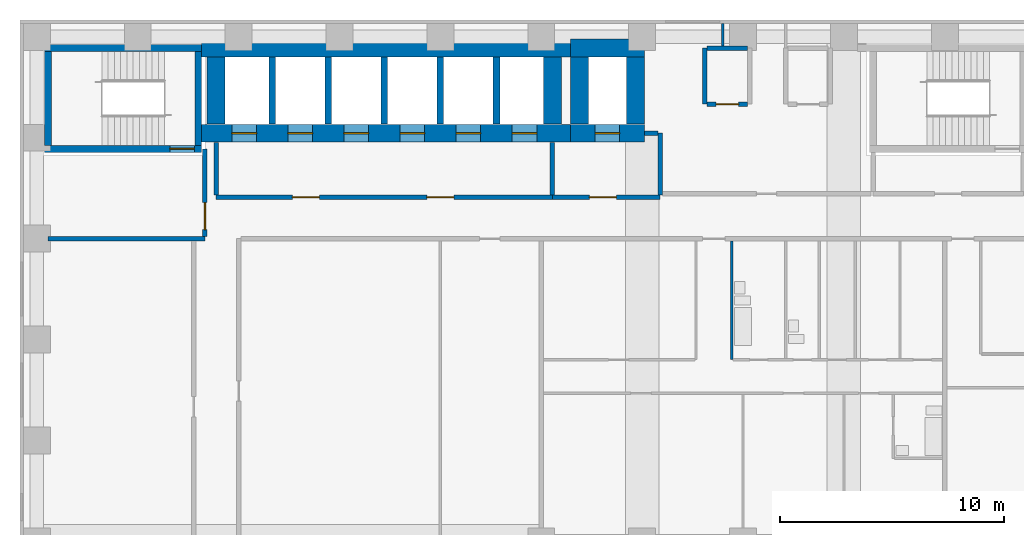
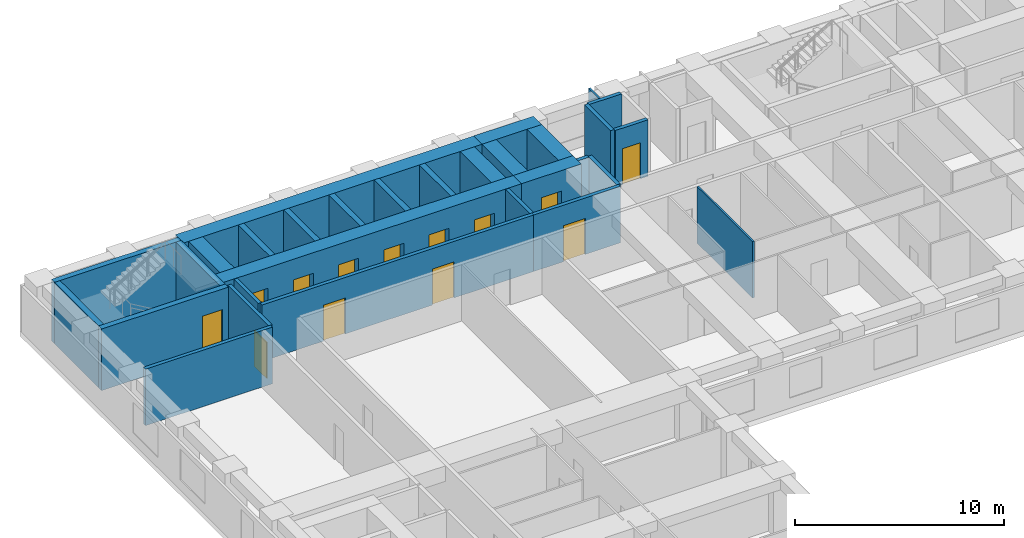
# One storey, part 5 of 12: 30 walls, 13 doors, 13 openings.
"""IFC4 building model written with IfcOpenShell, lengths in metres."""

from ifc_helpers import new_model, si_unit, direction, frame, frame_2d, origin, place, context, subcontext, project, spatial, rectangle, extrude, material, layer, layer_set, type_object, element, fill, save


model = new_model("IFC4")

# Units and contexts
model_context = context("Model", 3, precision=1e-05, world=origin(), true_north=direction((0.0, 1.0)))
body_context = subcontext(model_context, "Body", "Model", "MODEL_VIEW")
ifc_project = project(units=[si_unit("LENGTHUNIT", "METRE"), si_unit("AREAUNIT", "SQUARE_METRE"), si_unit("VOLUMEUNIT", "CUBIC_METRE"), si_unit("PLANEANGLEUNIT", "RADIAN"), si_unit("MASSUNIT", "GRAM", prefix="KILO")], contexts=[model_context])

# Site, building, storey
site_placement = place(None, origin())
site = spatial("IfcSite", under=ifc_project, at=site_placement, CompositionType="ELEMENT")
building_placement = place(site_placement, origin())
building = spatial("IfcBuilding", under=site, at=building_placement, Name="Firuza Court", CompositionType="ELEMENT")
storey_placement = place(building_placement, frame((0.0, 0.0, 36.199951171875)))
storey = spatial("IfcBuildingStorey", under=building, at=storey_placement, Name="L07", CompositionType="ELEMENT", Elevation=36.199951171875)

# Wall
ifc_material_1 = material(Name="Moisture-resistant gypsum board partition")
ifc_layer_1 = layer(ifc_material_1, 0.10009765625)
ifc_layer_set_1 = layer_set([ifc_layer_1], Name="Moisture-resistant gypsum board partition")
wall_type_1 = type_object("IfcWallType", Name="Bathroom partition 100", PredefinedType="PLUMBINGWALL", material=ifc_layer_set_1)
wall_1_placement = place(storey_placement, frame((31.0, 44.10009765625, 0.0), z_axis=(0.0, 0.0, 1.0), x_axis=(0.0, 1.0, 0.0)))
element("IfcWall", 1, at=wall_1_placement, inside=storey, type_object=wall_type_1, Name="Bathroom partition 100 L07", PredefinedType="PLUMBINGWALL", context=body_context, shape_type="SweptSolid", body=[
    extrude(rectangle(XDim=5.2998046875, YDim=0.10009765625, at=frame_2d((2.64990234375, 0.0))), origin(), (0.0, 0.0, 1.0), 3.300048828125),
])

# Wall, opening, door
ifc_material_2 = material(Name="Concrete C60/75", Category="concrete")
ifc_layer_2 = layer(ifc_material_2, 0.300048828125)
ifc_layer_set_2 = layer_set([ifc_layer_2], Name="Concrete C60/75")
wall_type_2 = type_object("IfcWallType", Name="Core wall 300 C60/75", PredefinedType="SHEAR", material=ifc_layer_set_2)
wall_2_placement = place(storey_placement, frame((0.35009765625, 53.5, -0.300048828125), z_axis=(0.0, 0.0, 1.0), x_axis=(1.0, 0.0, 0.0)))
wall_2 = element("IfcWall", 2, at=wall_2_placement, inside=storey, type_object=wall_type_2, Name="Core wall stair L07", PredefinedType="SHEAR", context=body_context, shape_type="SweptSolid", body=[
    extrude(rectangle(XDim=7.0, YDim=0.300048828125, at=frame_2d((3.5, 0.0))), origin(), (0.0, 0.0, 1.0), 3.60009765625),
])
opening_1_placement = place(wall_2_placement, frame((5.580078125, 0.0, 0.300048828125)))
opening_1 = element("IfcOpeningElement", 3, at=opening_1_placement, cuts=wall_2, Name="Opening D07016", PredefinedType="OPENING", context=body_context, shape_type="SweptSolid", body=[
    extrude(rectangle(XDim=1.10009765625, YDim=2.10009765625, at=frame_2d((0.550048828125, 1.050048828125))), frame((0.0, 0.162109375, 0.0), z_axis=(0.0, -1.0, 0.0), x_axis=(1.0, 0.0, 0.0)), (0.0, 0.0, 1.0), 0.323974609375),
])
ifc_material_3 = material(Name="Timber door leaf in hardwood frame", Category="wood")
door_type_1 = type_object("IfcDoorType", Name="Stair door 1100", OperationType="SINGLE_SWING_LEFT", PredefinedType="DOOR", material=ifc_material_3)
door_1_placement = place(opening_1_placement, origin())
door_1 = element("IfcDoor", 4, at=door_1_placement, inside=storey, type_object=door_type_1, Name="Stair door S3", OperationType="SINGLE_SWING_RIGHT", OverallHeight=2.10009765625, OverallWidth=1.10009765625, PredefinedType="DOOR", context=body_context, shape_type="SweptSolid", body=[
    extrude(rectangle(XDim=1.10009765625, YDim=2.10009765625, at=frame_2d((0.550048828125, 1.050048828125))), frame((0.0, 0.02490234375, 0.0), z_axis=(0.0, -1.0, 0.0), x_axis=(1.0, 0.0, 0.0)), (0.0, 0.0, 1.0), 0.050048828125),
])
fill(opening_1, door_1)

# Walls
wall_3_placement = place(storey_placement, frame((0.35009765625, 58.0, -0.300048828125), z_axis=(0.0, 0.0, 1.0), x_axis=(1.0, 0.0, 0.0)))
element("IfcWall", 5, at=wall_3_placement, inside=storey, type_object=wall_type_2, Name="Core wall stair L07", PredefinedType="SHEAR", context=body_context, shape_type="SweptSolid", body=[
    extrude(rectangle(XDim=7.0, YDim=0.300048828125, at=frame_2d((3.5, 0.0))), origin(), (0.0, 0.0, 1.0), 3.60009765625),
])
for number, where, z_axis, x_axis, name in (
    (6, (0.5, 53.64990234375, -0.300048828125), (0.0, 0.0, 1.0), (0.0, 1.0, 0.0), "Core wall stair L07"),
    (7, (7.199951171875, 53.64990234375, -0.300048828125), (0.0, 0.0, 1.0), (0.0, 1.0, 0.0), "Core wall stair L07"),
):
    element("IfcWall", number, at=place(storey_placement, frame(where, z_axis=z_axis, x_axis=x_axis)), inside=storey, type_object=wall_type_2, Name=name, PredefinedType="SHEAR", context=body_context, shape_type="SweptSolid", body=[
        extrude(rectangle(XDim=4.2001953125, YDim=0.300048828125, at=frame_2d((2.10009765625, 0.0))), origin(), (0.0, 0.0, 1.0), 3.60009765625),
    ])
for number, where, z_axis, x_axis, name in (
    (8, (10.5, 54.60009765625, -0.300048828125), (0.0, 0.0, 1.0), (0.0, 1.0, 0.0), "Core wall lift shaft L07"),
    (9, (13.0, 54.60009765625, -0.300048828125), (0.0, 0.0, 1.0), (0.0, 1.0, 0.0), "Core wall lift shaft L07"),
    (10, (15.5, 54.60009765625, -0.300048828125), (0.0, 0.0, 1.0), (0.0, 1.0, 0.0), "Core wall lift shaft L07"),
    (11, (18.0, 54.60009765625, -0.300048828125), (0.0, 0.0, 1.0), (0.0, 1.0, 0.0), "Core wall lift shaft L07"),
    (12, (20.5, 54.60009765625, -0.300048828125), (0.0, 0.0, 1.0), (0.0, 1.0, 0.0), "Core wall lift shaft L07"),
):
    element("IfcWall", number, at=place(storey_placement, frame(where, z_axis=z_axis, x_axis=x_axis)), inside=storey, type_object=wall_type_2, Name=name, PredefinedType="SHEAR", context=body_context, shape_type="SweptSolid", body=[
        extrude(rectangle(XDim=3.0, YDim=0.300048828125, at=frame_2d((1.5, 0.0))), origin(), (0.0, 0.0, 1.0), 3.60009765625),
    ])

# Wall, openings, doors
ifc_layer_3 = layer(ifc_material_2, 0.800048828125)
ifc_layer_set_3 = layer_set([ifc_layer_3], Name="Concrete C60/75")
wall_type_3 = type_object("IfcWallType", Name="Core wall 800 C60/75", PredefinedType="SHEAR", material=ifc_layer_set_3)
wall_4_placement = place(storey_placement, frame((7.35009765625, 54.199951171875, -0.300048828125), z_axis=(0.0, 0.0, 1.0), x_axis=(1.0, 0.0, 0.0)))
wall_4 = element("IfcWall", 13, at=wall_4_placement, inside=storey, type_object=wall_type_3, Name="Core wall lift shaft L07", PredefinedType="SHEAR", context=body_context, shape_type="SweptSolid", body=[
    extrude(rectangle(XDim=16.449951171875, YDim=0.800048828125, at=frame_2d((8.22509765625, 0.0))), origin(), (0.0, 0.0, 1.0), 3.60009765625),
])
opening_2_placement = place(wall_4_placement, frame((1.35009765625, 0.0, 0.300048828125)))
opening_2 = element("IfcOpeningElement", 14, at=opening_2_placement, cuts=wall_4, Name="Opening LD-LB1-07", PredefinedType="OPENING", context=body_context, shape_type="SweptSolid", body=[
    extrude(rectangle(XDim=1.10009765625, YDim=2.10009765625, at=frame_2d((0.550048828125, 1.050048828125))), frame((0.0, 0.412109375, 0.0), z_axis=(0.0, -1.0, 0.0), x_axis=(1.0, 0.0, 0.0)), (0.0, 0.0, 1.0), 0.823974609375),
])
opening_3_placement = place(wall_4_placement, frame((3.85009765625, 0.0, 0.300048828125)))
opening_3 = element("IfcOpeningElement", 15, at=opening_3_placement, cuts=wall_4, Name="Opening LD-LB2-07", PredefinedType="OPENING", context=body_context, shape_type="SweptSolid", body=[
    extrude(rectangle(XDim=1.10009765625, YDim=2.10009765625, at=frame_2d((0.550048828125, 1.050048828125))), frame((0.0, 0.412109375, 0.0), z_axis=(0.0, -1.0, 0.0), x_axis=(1.0, 0.0, 0.0)), (0.0, 0.0, 1.0), 0.823974609375),
])
opening_4_placement = place(wall_4_placement, frame((6.35009765625, 0.0, 0.300048828125)))
opening_4 = element("IfcOpeningElement", 16, at=opening_4_placement, cuts=wall_4, Name="Opening LD-LB3-07", PredefinedType="OPENING", context=body_context, shape_type="SweptSolid", body=[
    extrude(rectangle(XDim=1.10009765625, YDim=2.10009765625, at=frame_2d((0.550048828125, 1.050048828125))), frame((0.0, 0.412109375, 0.0), z_axis=(0.0, -1.0, 0.0), x_axis=(1.0, 0.0, 0.0)), (0.0, 0.0, 1.0), 0.823974609375),
])
opening_5_placement = place(wall_4_placement, frame((8.85009765625, 0.0, 0.300048828125)))
opening_5 = element("IfcOpeningElement", 17, at=opening_5_placement, cuts=wall_4, Name="Opening LD-LB4-07", PredefinedType="OPENING", context=body_context, shape_type="SweptSolid", body=[
    extrude(rectangle(XDim=1.10009765625, YDim=2.10009765625, at=frame_2d((0.550048828125, 1.050048828125))), frame((0.0, 0.412109375, 0.0), z_axis=(0.0, -1.0, 0.0), x_axis=(1.0, 0.0, 0.0)), (0.0, 0.0, 1.0), 0.823974609375),
])
opening_6_placement = place(wall_4_placement, frame((11.35009765625, 0.0, 0.300048828125)))
opening_6 = element("IfcOpeningElement", 18, at=opening_6_placement, cuts=wall_4, Name="Opening LD-LB5-07", PredefinedType="OPENING", context=body_context, shape_type="SweptSolid", body=[
    extrude(rectangle(XDim=1.10009765625, YDim=2.10009765625, at=frame_2d((0.550048828125, 1.050048828125))), frame((0.0, 0.412109375, 0.0), z_axis=(0.0, -1.0, 0.0), x_axis=(1.0, 0.0, 0.0)), (0.0, 0.0, 1.0), 0.823974609375),
])
opening_7_placement = place(wall_4_placement, frame((13.85009765625, 0.0, 0.300048828125)))
opening_7 = element("IfcOpeningElement", 19, at=opening_7_placement, cuts=wall_4, Name="Opening LD-LB6-07", PredefinedType="OPENING", context=body_context, shape_type="SweptSolid", body=[
    extrude(rectangle(XDim=1.10009765625, YDim=2.10009765625, at=frame_2d((0.550048828125, 1.050048828125))), frame((0.0, 0.412109375, 0.0), z_axis=(0.0, -1.0, 0.0), x_axis=(1.0, 0.0, 0.0)), (0.0, 0.0, 1.0), 0.823974609375),
])
ifc_material_4 = material(Name="Stainless steel 1.4301 door leaf", Category="steel")
door_type_2 = type_object("IfcDoorType", Name="Lift landing door 1100", OperationType="SLIDING_TO_LEFT", PredefinedType="DOOR", material=ifc_material_4)
door_2_placement = place(opening_2_placement, origin())
door_2 = element("IfcDoor", 20, at=door_2_placement, inside=storey, type_object=door_type_2, Name="Landing door LB1", OperationType="SLIDING_TO_LEFT", OverallHeight=2.10009765625, OverallWidth=1.10009765625, PredefinedType="DOOR", context=body_context, shape_type="SweptSolid", body=[
    extrude(rectangle(XDim=1.10009765625, YDim=2.10009765625, at=frame_2d((0.550048828125, 1.050048828125))), frame((0.0, 0.02490234375, 0.0), z_axis=(0.0, -1.0, 0.0), x_axis=(1.0, 0.0, 0.0)), (0.0, 0.0, 1.0), 0.050048828125),
])
fill(opening_2, door_2)
door_3_placement = place(opening_3_placement, origin())
door_3 = element("IfcDoor", 21, at=door_3_placement, inside=storey, type_object=door_type_2, Name="Landing door LB2", OperationType="SLIDING_TO_LEFT", OverallHeight=2.10009765625, OverallWidth=1.10009765625, PredefinedType="DOOR", context=body_context, shape_type="SweptSolid", body=[
    extrude(rectangle(XDim=1.10009765625, YDim=2.10009765625, at=frame_2d((0.550048828125, 1.050048828125))), frame((0.0, 0.02490234375, 0.0), z_axis=(0.0, -1.0, 0.0), x_axis=(1.0, 0.0, 0.0)), (0.0, 0.0, 1.0), 0.050048828125),
])
fill(opening_3, door_3)
door_4_placement = place(opening_4_placement, origin())
door_4 = element("IfcDoor", 22, at=door_4_placement, inside=storey, type_object=door_type_2, Name="Landing door LB3", OperationType="SLIDING_TO_LEFT", OverallHeight=2.10009765625, OverallWidth=1.10009765625, PredefinedType="DOOR", context=body_context, shape_type="SweptSolid", body=[
    extrude(rectangle(XDim=1.10009765625, YDim=2.10009765625, at=frame_2d((0.550048828125, 1.050048828125))), frame((0.0, 0.02490234375, 0.0), z_axis=(0.0, -1.0, 0.0), x_axis=(1.0, 0.0, 0.0)), (0.0, 0.0, 1.0), 0.050048828125),
])
fill(opening_4, door_4)
door_5_placement = place(opening_5_placement, origin())
door_5 = element("IfcDoor", 23, at=door_5_placement, inside=storey, type_object=door_type_2, Name="Landing door LB4", OperationType="SLIDING_TO_LEFT", OverallHeight=2.10009765625, OverallWidth=1.10009765625, PredefinedType="DOOR", context=body_context, shape_type="SweptSolid", body=[
    extrude(rectangle(XDim=1.10009765625, YDim=2.10009765625, at=frame_2d((0.550048828125, 1.050048828125))), frame((0.0, 0.02490234375, 0.0), z_axis=(0.0, -1.0, 0.0), x_axis=(1.0, 0.0, 0.0)), (0.0, 0.0, 1.0), 0.050048828125),
])
fill(opening_5, door_5)
door_6_placement = place(opening_6_placement, origin())
door_6 = element("IfcDoor", 24, at=door_6_placement, inside=storey, type_object=door_type_2, Name="Landing door LB5", OperationType="SLIDING_TO_LEFT", OverallHeight=2.10009765625, OverallWidth=1.10009765625, PredefinedType="DOOR", context=body_context, shape_type="SweptSolid", body=[
    extrude(rectangle(XDim=1.10009765625, YDim=2.10009765625, at=frame_2d((0.550048828125, 1.050048828125))), frame((0.0, 0.02490234375, 0.0), z_axis=(0.0, -1.0, 0.0), x_axis=(1.0, 0.0, 0.0)), (0.0, 0.0, 1.0), 0.050048828125),
])
fill(opening_6, door_6)
door_7_placement = place(opening_7_placement, origin())
door_7 = element("IfcDoor", 25, at=door_7_placement, inside=storey, type_object=door_type_2, Name="Landing door LB6", OperationType="SLIDING_TO_LEFT", OverallHeight=2.10009765625, OverallWidth=1.10009765625, PredefinedType="DOOR", context=body_context, shape_type="SweptSolid", body=[
    extrude(rectangle(XDim=1.10009765625, YDim=2.10009765625, at=frame_2d((0.550048828125, 1.050048828125))), frame((0.0, 0.02490234375, 0.0), z_axis=(0.0, -1.0, 0.0), x_axis=(1.0, 0.0, 0.0)), (0.0, 0.0, 1.0), 0.050048828125),
])
fill(opening_7, door_7)

# Walls
wall_5_placement = place(storey_placement, frame((7.35009765625, 58.0, -0.300048828125), z_axis=(0.0, 0.0, 1.0), x_axis=(1.0, 0.0, 0.0)))
element("IfcWall", 26, at=wall_5_placement, inside=storey, type_object=wall_type_3, Name="Core wall lift shaft L07", PredefinedType="SHEAR", context=body_context, shape_type="SweptSolid", body=[
    extrude(rectangle(XDim=16.449951171875, YDim=0.800048828125, at=frame_2d((8.22509765625, 0.0))), origin(), (0.0, 0.0, 1.0), 3.60009765625),
])
for number, where, z_axis, x_axis, name in (
    (27, (8.0, 54.60009765625, -0.300048828125), (0.0, 0.0, 1.0), (0.0, 1.0, 0.0), "Core wall lift shaft L07"),
    (28, (23.0, 54.60009765625, -0.300048828125), (0.0, 0.0, 1.0), (0.0, 1.0, 0.0), "Core wall lift shaft L07"),
):
    element("IfcWall", number, at=place(storey_placement, frame(where, z_axis=z_axis, x_axis=x_axis)), inside=storey, type_object=wall_type_3, Name=name, PredefinedType="SHEAR", context=body_context, shape_type="SweptSolid", body=[
        extrude(rectangle(XDim=3.0, YDim=0.800048828125, at=frame_2d((1.5, 0.0))), origin(), (0.0, 0.0, 1.0), 3.60009765625),
    ])

# Wall, opening, door
wall_6_placement = place(storey_placement, frame((23.800048828125, 54.199951171875, -0.300048828125), z_axis=(0.0, 0.0, 1.0), x_axis=(1.0, 0.0, 0.0)))
wall_6 = element("IfcWall", 29, at=wall_6_placement, inside=storey, type_object=wall_type_3, Name="Core wall lift shaft L07", PredefinedType="SHEAR", context=body_context, shape_type="SweptSolid", body=[
    extrude(rectangle(XDim=3.300048828125, YDim=0.800048828125, at=frame_2d((1.64990234375, 0.0))), origin(), (0.0, 0.0, 1.0), 3.60009765625),
])
opening_8_placement = place(wall_6_placement, frame((1.10009765625, 0.0, 0.300048828125)))
opening_8 = element("IfcOpeningElement", 30, at=opening_8_placement, cuts=wall_6, Name="Opening LD-FL3-07", PredefinedType="OPENING", context=body_context, shape_type="SweptSolid", body=[
    extrude(rectangle(XDim=1.10009765625, YDim=2.10009765625, at=frame_2d((0.550048828125, 1.050048828125))), frame((0.0, 0.412109375, 0.0), z_axis=(0.0, -1.0, 0.0), x_axis=(1.0, 0.0, 0.0)), (0.0, 0.0, 1.0), 0.823974609375),
])
door_8_placement = place(opening_8_placement, origin())
door_8 = element("IfcDoor", 31, at=door_8_placement, inside=storey, type_object=door_type_2, Name="Landing door FL3", OperationType="SLIDING_TO_LEFT", OverallHeight=2.10009765625, OverallWidth=1.10009765625, PredefinedType="DOOR", context=body_context, shape_type="SweptSolid", body=[
    extrude(rectangle(XDim=1.10009765625, YDim=2.10009765625, at=frame_2d((0.550048828125, 1.050048828125))), frame((0.0, 0.02490234375, 0.0), z_axis=(0.0, -1.0, 0.0), x_axis=(1.0, 0.0, 0.0)), (0.0, 0.0, 1.0), 0.050048828125),
])
fill(opening_8, door_8)

# Walls
wall_7_placement = place(storey_placement, frame((23.800048828125, 58.0, -0.300048828125), z_axis=(0.0, 0.0, 1.0), x_axis=(1.0, 0.0, 0.0)))
element("IfcWall", 32, at=wall_7_placement, inside=storey, type_object=wall_type_3, Name="Core wall lift shaft L07", PredefinedType="SHEAR", context=body_context, shape_type="SweptSolid", body=[
    extrude(rectangle(XDim=3.300048828125, YDim=0.800048828125, at=frame_2d((1.64990234375, 0.0))), origin(), (0.0, 0.0, 1.0), 3.60009765625),
])
for number, where, z_axis, x_axis, name in (
    (33, (24.199951171875, 54.60009765625, -0.300048828125), (0.0, 0.0, 1.0), (0.0, 1.0, 0.0), "Core wall lift shaft L07"),
    (34, (26.699951171875, 54.60009765625, -0.300048828125), (0.0, 0.0, 1.0), (0.0, 1.0, 0.0), "Core wall lift shaft L07"),
):
    element("IfcWall", number, at=place(storey_placement, frame(where, z_axis=z_axis, x_axis=x_axis)), inside=storey, type_object=wall_type_3, Name=name, PredefinedType="SHEAR", context=body_context, shape_type="SweptSolid", body=[
        extrude(rectangle(XDim=3.0, YDim=0.800048828125, at=frame_2d((1.5, 0.0))), origin(), (0.0, 0.0, 1.0), 3.60009765625),
    ])
ifc_material_5 = material(Name="Timber stud partition, plasterboard both sides", Category="wood")
ifc_layer_4 = layer(ifc_material_5, 0.10009765625)
ifc_layer_set_4 = layer_set([ifc_layer_4], Name="Timber stud partition, plasterboard both sides")
wall_type_4 = type_object("IfcWallType", Name="Partition wall 100", PredefinedType="PARTITIONING", material=ifc_layer_set_4)
wall_8_placement = place(storey_placement, frame((30.60009765625, 58.10009765625, 0.0), z_axis=(0.0, 0.0, 1.0), x_axis=(0.0, 1.0, 0.0)))
element("IfcWall", 35, at=wall_8_placement, inside=storey, type_object=wall_type_4, Name="Partition wall 100 L07", PredefinedType="PARTITIONING", context=body_context, shape_type="SweptSolid", body=[
    extrude(rectangle(XDim=1.0, YDim=0.10009765625, at=frame_2d((0.5, 0.0))), origin(), (0.0, 0.0, 1.0), 3.300048828125),
])
ifc_material_6 = material(Name="Blockwork, fire-rated", Category="masonry")
ifc_layer_5 = layer(ifc_material_6, 0.199951171875)
ifc_layer_set_5 = layer_set([ifc_layer_5], Name="Blockwork, fire-rated")
wall_type_5 = type_object("IfcWallType", Name="Plant room wall 200", PredefinedType="PARTITIONING", material=ifc_layer_set_5)
wall_9_placement = place(storey_placement, frame((29.800048828125, 55.5, 0.0), z_axis=(0.0, 0.0, 1.0), x_axis=(0.0, 1.0, 0.0)))
element("IfcWall", 36, at=wall_9_placement, inside=storey, type_object=wall_type_5, Name="Plant room wall 200 L07", PredefinedType="PARTITIONING", context=body_context, shape_type="SweptSolid", body=[
    extrude(rectangle(XDim=2.5, YDim=0.199951171875, at=frame_2d((1.25, 0.0))), origin(), (0.0, 0.0, 1.0), 3.300048828125),
])

# Wall, opening, door
wall_10_placement = place(storey_placement, frame((29.89990234375, 55.5, 0.0), z_axis=(0.0, 0.0, 1.0), x_axis=(1.0, 0.0, 0.0)))
wall_10 = element("IfcWall", 37, at=wall_10_placement, inside=storey, type_object=wall_type_5, Name="Plant room wall 200 L07", PredefinedType="PARTITIONING", context=body_context, shape_type="SweptSolid", body=[
    extrude(rectangle(XDim=1.800048828125, YDim=0.199951171875, at=frame_2d((0.89990234375, 0.0))), origin(), (0.0, 0.0, 1.0), 3.300048828125),
])
opening_9_placement = place(wall_10_placement, frame((0.39990234375, 0.0, 0.0)))
opening_9 = element("IfcOpeningElement", 38, at=opening_9_placement, cuts=wall_10, Name="Opening D07075", PredefinedType="OPENING", context=body_context, shape_type="SweptSolid", body=[
    extrude(rectangle(XDim=1.0, YDim=2.10009765625, at=frame_2d((0.5, 1.050048828125))), frame((0.0, 0.11181640625, 0.0), z_axis=(0.0, -1.0, 0.0), x_axis=(1.0, 0.0, 0.0)), (0.0, 0.0, 1.0), 0.223876953125),
])
ifc_material_7 = material(Name="Timber door leaf in hardwood frame", Category="wood")
door_type_3 = type_object("IfcDoorType", Name="Riser door 1000", OperationType="SINGLE_SWING_LEFT", PredefinedType="DOOR", material=ifc_material_7)
door_9_placement = place(opening_9_placement, origin())
door_9 = element("IfcDoor", 39, at=door_9_placement, inside=storey, type_object=door_type_3, Name="Electrical riser door", OperationType="SINGLE_SWING_LEFT", OverallHeight=2.10009765625, OverallWidth=1.0, PredefinedType="DOOR", context=body_context, shape_type="SweptSolid", body=[
    extrude(rectangle(XDim=1.0, YDim=2.10009765625, at=frame_2d((0.5, 1.050048828125))), frame((0.0, 0.02490234375, 0.0), z_axis=(0.0, -1.0, 0.0), x_axis=(1.0, 0.0, 0.0)), (0.0, 0.0, 1.0), 0.050048828125),
])
fill(opening_9, door_9)

# Wall
wall_11_placement = place(storey_placement, frame((29.89990234375, 58.0, 0.0), z_axis=(0.0, 0.0, 1.0), x_axis=(1.0, 0.0, 0.0)))
element("IfcWall", 40, at=wall_11_placement, inside=storey, type_object=wall_type_5, Name="Plant room wall 200 L07", PredefinedType="PARTITIONING", context=body_context, shape_type="SweptSolid", body=[
    extrude(rectangle(XDim=1.800048828125, YDim=0.199951171875, at=frame_2d((0.89990234375, 0.0))), origin(), (0.0, 0.0, 1.0), 3.300048828125),
])

# Wall, openings, doors
ifc_layer_6 = layer(ifc_material_6, 0.199951171875)
ifc_layer_set_6 = layer_set([ifc_layer_6], Name="Blockwork, fire-rated")
wall_type_6 = type_object("IfcWallType", Name="Shaft wall 200", PredefinedType="PARTITIONING", material=ifc_layer_set_6)
wall_12_placement = place(storey_placement, frame((8.0, 51.35009765625, 0.0), z_axis=(0.0, 0.0, 1.0), x_axis=(1.0, 0.0, 0.0)))
wall_12 = element("IfcWall", 41, at=wall_12_placement, inside=storey, type_object=wall_type_6, Name="Shaft wall 200 L07", PredefinedType="PARTITIONING", context=body_context, shape_type="SweptSolid", body=[
    extrude(rectangle(XDim=15.0, YDim=0.199951171875, at=frame_2d((7.5, 0.0))), origin(), (0.0, 0.0, 1.0), 3.300048828125),
])
opening_10_placement = place(wall_12_placement, frame((3.39990234375, 0.0, 0.0)))
opening_10 = element("IfcOpeningElement", 42, at=opening_10_placement, cuts=wall_12, Name="Opening D07004", PredefinedType="OPENING", context=body_context, shape_type="SweptSolid", body=[
    extrude(rectangle(XDim=1.199951171875, YDim=2.10009765625, at=frame_2d((0.60009765625, 1.050048828125))), frame((0.0, 0.11181640625, 0.0), z_axis=(0.0, -1.0, 0.0), x_axis=(1.0, 0.0, 0.0)), (0.0, 0.0, 1.0), 0.223876953125),
])
opening_11_placement = place(wall_12_placement, frame((9.39990234375, 0.0, 0.0)))
opening_11 = element("IfcOpeningElement", 43, at=opening_11_placement, cuts=wall_12, Name="Opening D07005", PredefinedType="OPENING", context=body_context, shape_type="SweptSolid", body=[
    extrude(rectangle(XDim=1.199951171875, YDim=2.10009765625, at=frame_2d((0.60009765625, 1.050048828125))), frame((0.0, 0.11181640625, 0.0), z_axis=(0.0, -1.0, 0.0), x_axis=(1.0, 0.0, 0.0)), (0.0, 0.0, 1.0), 0.223876953125),
])
ifc_material_8 = material(Name="Timber door leaf in hardwood frame", Category="wood")
door_type_4 = type_object("IfcDoorType", Name="Lobby door 1200", OperationType="SINGLE_SWING_LEFT", PredefinedType="DOOR", material=ifc_material_8)
door_10_placement = place(opening_10_placement, origin())
door_10 = element("IfcDoor", 44, at=door_10_placement, inside=storey, type_object=door_type_4, Name="Lobby door", OperationType="SINGLE_SWING_LEFT", OverallHeight=2.10009765625, OverallWidth=1.199951171875, PredefinedType="DOOR", context=body_context, shape_type="SweptSolid", body=[
    extrude(rectangle(XDim=1.199951171875, YDim=2.10009765625, at=frame_2d((0.60009765625, 1.050048828125))), frame((0.0, 0.02490234375, 0.0), z_axis=(0.0, -1.0, 0.0), x_axis=(1.0, 0.0, 0.0)), (0.0, 0.0, 1.0), 0.050048828125),
])
fill(opening_10, door_10)
door_11_placement = place(opening_11_placement, origin())
door_11 = element("IfcDoor", 45, at=door_11_placement, inside=storey, type_object=door_type_4, Name="Lobby door", OperationType="SINGLE_SWING_RIGHT", OverallHeight=2.10009765625, OverallWidth=1.199951171875, PredefinedType="DOOR", context=body_context, shape_type="SweptSolid", body=[
    extrude(rectangle(XDim=1.199951171875, YDim=2.10009765625, at=frame_2d((0.60009765625, 1.050048828125))), frame((0.0, 0.02490234375, 0.0), z_axis=(0.0, -1.0, 0.0), x_axis=(1.0, 0.0, 0.0)), (0.0, 0.0, 1.0), 0.050048828125),
])
fill(opening_11, door_11)

# Walls
for number, where, z_axis, x_axis, name in (
    (46, (23.0, 51.449951171875, 0.0), (0.0, 0.0, 1.0), (0.0, 1.0, 0.0), "Shaft wall 200 L07"),
    (47, (8.0, 51.449951171875, 0.0), (0.0, 0.0, 1.0), (0.0, 1.0, 0.0), "Shaft wall 200 L07"),
):
    element("IfcWall", number, at=place(storey_placement, frame(where, z_axis=z_axis, x_axis=x_axis)), inside=storey, type_object=wall_type_6, Name=name, PredefinedType="PARTITIONING", context=body_context, shape_type="SweptSolid", body=[
        extrude(rectangle(XDim=2.330078125, YDim=0.199951171875, at=frame_2d((1.1650390625, 0.0))), origin(), (0.0, 0.0, 1.0), 3.300048828125),
    ])

# Wall, opening, door
wall_13_placement = place(storey_placement, frame((23.0, 51.35009765625, 0.0), z_axis=(0.0, 0.0, 1.0), x_axis=(1.0, 0.0, 0.0)))
wall_13 = element("IfcWall", 48, at=wall_13_placement, inside=storey, type_object=wall_type_6, Name="Shaft wall 200 L07", PredefinedType="PARTITIONING", context=body_context, shape_type="SweptSolid", body=[
    extrude(rectangle(XDim=4.800048828125, YDim=0.199951171875, at=frame_2d((2.39990234375, 0.0))), origin(), (0.0, 0.0, 1.0), 3.300048828125),
])
opening_12_placement = place(wall_13_placement, frame((1.64990234375, 0.0, 0.0)))
opening_12 = element("IfcOpeningElement", 49, at=opening_12_placement, cuts=wall_13, Name="Opening D07003", PredefinedType="OPENING", context=body_context, shape_type="SweptSolid", body=[
    extrude(rectangle(XDim=1.199951171875, YDim=2.10009765625, at=frame_2d((0.60009765625, 1.050048828125))), frame((0.0, 0.11181640625, 0.0), z_axis=(0.0, -1.0, 0.0), x_axis=(1.0, 0.0, 0.0)), (0.0, 0.0, 1.0), 0.223876953125),
])
door_12_placement = place(opening_12_placement, origin())
door_12 = element("IfcDoor", 50, at=door_12_placement, inside=storey, type_object=door_type_4, Name="Fire-fighting lobby door", OperationType="SINGLE_SWING_LEFT", OverallHeight=2.10009765625, OverallWidth=1.199951171875, PredefinedType="DOOR", context=body_context, shape_type="SweptSolid", body=[
    extrude(rectangle(XDim=1.199951171875, YDim=2.10009765625, at=frame_2d((0.60009765625, 1.050048828125))), frame((0.0, 0.02490234375, 0.0), z_axis=(0.0, -1.0, 0.0), x_axis=(1.0, 0.0, 0.0)), (0.0, 0.0, 1.0), 0.050048828125),
])
fill(opening_12, door_12)

# Walls
wall_14_placement = place(storey_placement, frame((27.800048828125, 51.449951171875, 0.0), z_axis=(0.0, 0.0, 1.0), x_axis=(0.0, 1.0, 0.0)))
element("IfcWall", 51, at=wall_14_placement, inside=storey, type_object=wall_type_6, Name="Shaft wall 200 L07", PredefinedType="PARTITIONING", context=body_context, shape_type="SweptSolid", body=[
    extrude(rectangle(XDim=2.75, YDim=0.199951171875, at=frame_2d((1.375, 0.0))), origin(), (0.0, 0.0, 1.0), 3.300048828125),
])
wall_15_placement = place(storey_placement, frame((27.10009765625, 54.199951171875, 0.0), z_axis=(0.0, 0.0, 1.0), x_axis=(1.0, 0.0, 0.0)))
element("IfcWall", 52, at=wall_15_placement, inside=storey, type_object=wall_type_6, Name="Shaft wall 200 L07", PredefinedType="PARTITIONING", context=body_context, shape_type="SweptSolid", body=[
    extrude(rectangle(XDim=0.599853515625, YDim=0.199951171875, at=frame_2d((0.2998046875, 0.0))), origin(), (0.0, 0.0, 1.0), 3.300048828125),
])
wall_16_placement = place(storey_placement, frame((0.5, 49.5, 0.0), z_axis=(0.0, 0.0, 1.0), x_axis=(1.0, 0.0, 0.0)))
element("IfcWall", 53, at=wall_16_placement, inside=storey, type_object=wall_type_6, Name="Shaft wall 200 L07", PredefinedType="PARTITIONING", context=body_context, shape_type="SweptSolid", body=[
    extrude(rectangle(XDim=7.0, YDim=0.199951171875, at=frame_2d((3.5, 0.0))), origin(), (0.0, 0.0, 1.0), 3.300048828125),
])

# Wall, opening, door
wall_17_placement = place(storey_placement, frame((7.5, 49.60009765625, 0.0), z_axis=(0.0, 0.0, 1.0), x_axis=(0.0, 1.0, 0.0)))
wall_17 = element("IfcWall", 54, at=wall_17_placement, inside=storey, type_object=wall_type_6, Name="Shaft wall 200 L07", PredefinedType="PARTITIONING", context=body_context, shape_type="SweptSolid", body=[
    extrude(rectangle(XDim=3.89990234375, YDim=0.199951171875, at=frame_2d((1.949951171875, 0.0))), origin(), (0.0, 0.0, 1.0), 3.300048828125),
])
opening_13_placement = place(wall_17_placement, frame((0.300048828125, 0.0, 0.0)))
opening_13 = element("IfcOpeningElement", 55, at=opening_13_placement, cuts=wall_17, Name="Opening D07001", PredefinedType="OPENING", context=body_context, shape_type="SweptSolid", body=[
    extrude(rectangle(XDim=1.199951171875, YDim=2.10009765625, at=frame_2d((0.60009765625, 1.050048828125))), frame((0.0, 0.11181640625, 0.0), z_axis=(0.0, -1.0, 0.0), x_axis=(1.0, 0.0, 0.0)), (0.0, 0.0, 1.0), 0.223876953125),
])
door_13_placement = place(opening_13_placement, origin())
door_13 = element("IfcDoor", 56, at=door_13_placement, inside=storey, type_object=door_type_4, Name="Lobby door", OperationType="SINGLE_SWING_LEFT", OverallHeight=2.10009765625, OverallWidth=1.199951171875, PredefinedType="DOOR", context=body_context, shape_type="SweptSolid", body=[
    extrude(rectangle(XDim=1.199951171875, YDim=2.10009765625, at=frame_2d((0.60009765625, 1.050048828125))), frame((0.0, 0.02490234375, 0.0), z_axis=(0.0, -1.0, 0.0), x_axis=(1.0, 0.0, 0.0)), (0.0, 0.0, 1.0), 0.050048828125),
])
fill(opening_13, door_13)

save(model, "model.ifc")
